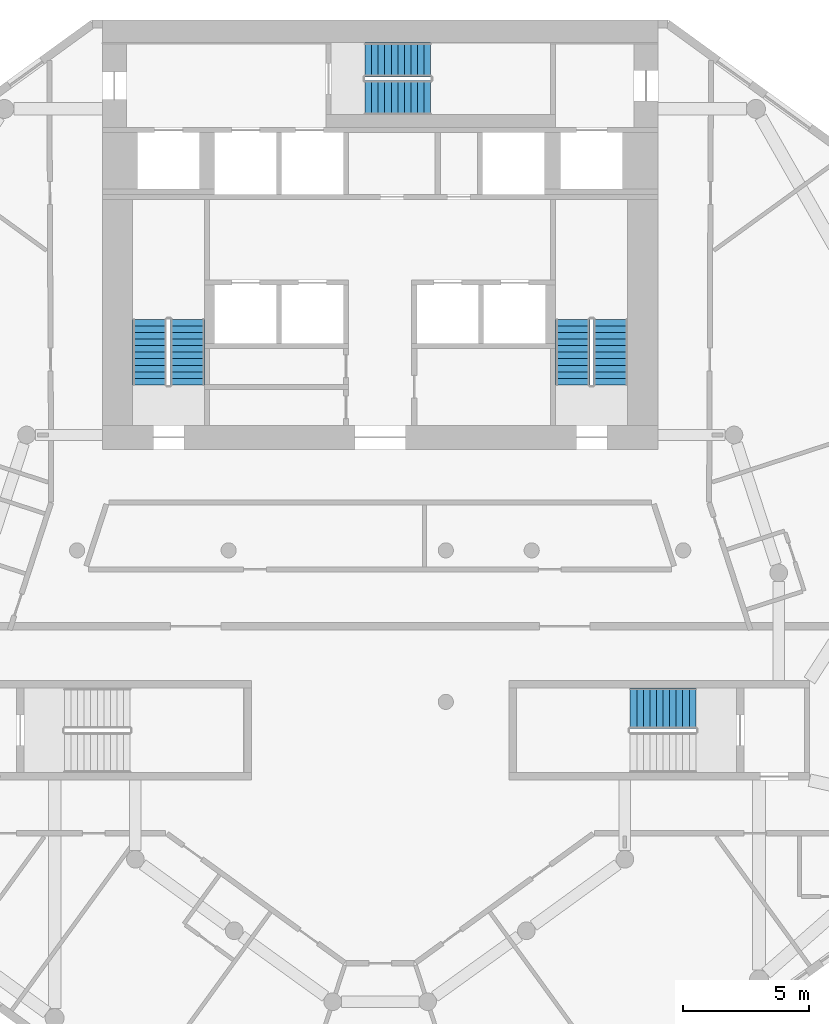
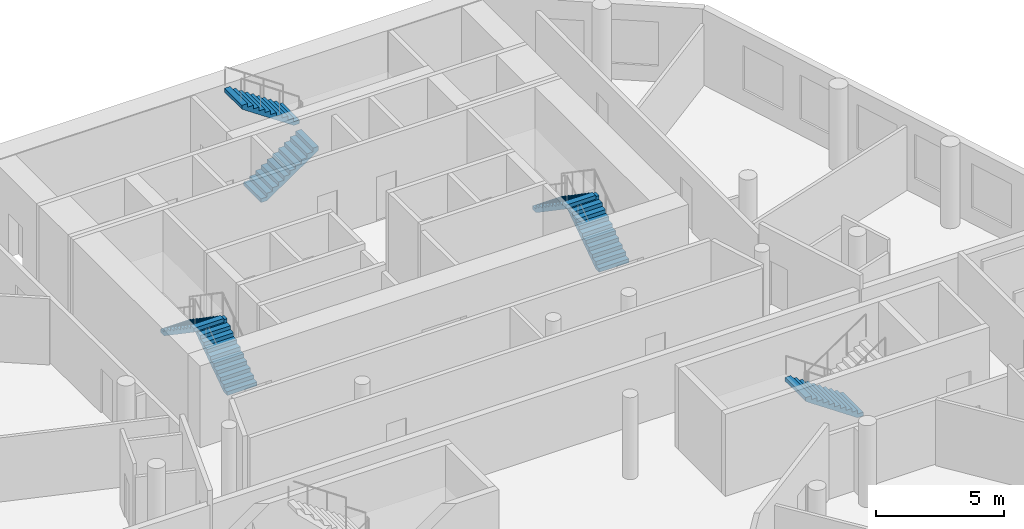
# One storey, part 7 of 9: 7 stair flights, 4 elements without a shape of their own.
"""IFC4 building model written with IfcOpenShell, lengths in metres."""

from ifc_helpers import new_model, si_unit, direction, frame, origin, place, context, subcontext, project, spatial, polyline, outline, extrude, material, layer, layer_set, type_object, element, aggregate, save


model = new_model("IFC4")

# Units and contexts
model_context = context("Model", 3, precision=1e-05, world=origin(), true_north=direction((0.0, 1.0)))
body_context = subcontext(model_context, "Body", "Model", "MODEL_VIEW")
ifc_project = project(units=[si_unit("LENGTHUNIT", "METRE"), si_unit("AREAUNIT", "SQUARE_METRE"), si_unit("VOLUMEUNIT", "CUBIC_METRE"), si_unit("PLANEANGLEUNIT", "RADIAN"), si_unit("MASSUNIT", "GRAM", prefix="KILO")], contexts=[model_context])

# Site, building, storey
site_placement = place(None, origin())
site = spatial("IfcSite", under=ifc_project, at=site_placement, CompositionType="ELEMENT")
building_placement = place(site_placement, origin())
building = spatial("IfcBuilding", under=site, at=building_placement, Name="White Candle Pilgrim Tower", CompositionType="ELEMENT")
storey_placement = place(building_placement, frame((0.0, 0.0, 175.89990234375)))
storey = spatial("IfcBuildingStorey", under=building, at=storey_placement, Name="L40", CompositionType="ELEMENT", Elevation=175.89990234375)

# Stair, stair flights
ifc_material = material(Name="Concrete C40/50", Category="concrete")
stair_type_1 = type_object("IfcStairType", Name="Exit stair 1 flight width 1350 mm", PredefinedType="HALF_TURN_STAIR", material=ifc_material)
stair_1_placement = place(storey_placement, origin())
stair_1 = element("IfcStair", 1, at=stair_1_placement, inside=storey, type_object=stair_type_1, Name="L40 stair 1", PredefinedType="NOTDEFINED")
ifc_layer = layer(ifc_material, 0.14990234375)
ifc_layer_set = layer_set([ifc_layer], Name="Stair flight Concrete C40/50")
stair_flight_type = type_object("IfcStairFlightType", Name="Stair flight Concrete C40/50", PredefinedType="STRAIGHT", material=ifc_layer_set)
stair_flight_1_placement = place(storey_placement, frame((62.375, 73.550048828125, 0.0), z_axis=(0.0, 0.0, 1.0), x_axis=(0.0, 1.0, 0.0)))
stair_flight_1 = element("IfcStairFlight", 2, at=stair_flight_1_placement, type_object=stair_flight_type, Name="ST1 flight 1", NumberOfRisers=11, NumberOfTreads=10, PredefinedType="NOTDEFINED", RiserHeight=0.177272727, TreadLength=0.26, context=body_context, shape_type="SweptSolid", body=[
    extrude(outline(polyline([(0.0, 0.0), (0.0, 0.17724609375), (0.260009765625, 0.17724609375), (0.260009765625, 0.3544921875), (0.52001953125, 0.3544921875), (0.52001953125, 0.53173828125), (0.780029296875, 0.53173828125), (0.780029296875, 0.708984375), (1.0400390625, 0.708984375), (1.0400390625, 0.886474609375), (1.300048828125, 0.886474609375), (1.300048828125, 1.063720703125), (1.56005859375, 1.063720703125), (1.56005859375, 1.240966796875), (1.820068359375, 1.240966796875), (1.820068359375, 1.418212890625), (2.080078125, 1.418212890625), (2.080078125, 1.595458984375), (2.340087890625, 1.595458984375), (2.340087890625, 1.772705078125), (2.60009765625, 1.772705078125), (2.60009765625, 1.949951171875), (2.60009765625, 1.59130859375), (0.26611328125, 0.0), (0.0, 0.0)])), frame((0.0, 0.675048828125, 0.0), z_axis=(0.0, -1.0, 0.0), x_axis=(1.0, 0.0, 0.0)), (0.0, 0.0, 1.0), 1.35009765625),
])
stair_flight_2_placement = place(storey_placement, frame((60.875, 76.14990234375, 1.9501953125), z_axis=(0.0, 0.0, 1.0), x_axis=(0.0, -1.0, 0.0)))
stair_flight_2 = element("IfcStairFlight", 3, at=stair_flight_2_placement, type_object=stair_flight_type, Name="ST1 flight 2", NumberOfRisers=11, NumberOfTreads=10, PredefinedType="NOTDEFINED", RiserHeight=0.177272727, TreadLength=0.26, context=body_context, shape_type="SweptSolid", body=[
    extrude(outline(polyline([(0.0, 0.0), (0.0, 0.17724609375), (0.260009765625, 0.17724609375), (0.260009765625, 0.3544921875), (0.52001953125, 0.3544921875), (0.52001953125, 0.53173828125), (0.780029296875, 0.53173828125), (0.780029296875, 0.708984375), (1.0400390625, 0.708984375), (1.0400390625, 0.886474609375), (1.300048828125, 0.886474609375), (1.300048828125, 1.063720703125), (1.56005859375, 1.063720703125), (1.56005859375, 1.240966796875), (1.820068359375, 1.240966796875), (1.820068359375, 1.418212890625), (2.080078125, 1.418212890625), (2.080078125, 1.595458984375), (2.340087890625, 1.595458984375), (2.340087890625, 1.772705078125), (2.60009765625, 1.772705078125), (2.60009765625, 1.949951171875), (2.60009765625, 1.59130859375), (0.26611328125, 0.0), (0.0, 0.0)])), frame((0.0, 0.675048828125, 0.0), z_axis=(0.0, -1.0, 0.0), x_axis=(1.0, 0.0, 0.0)), (0.0, 0.0, 1.0), 1.35009765625),
])
aggregate(stair_1, [stair_flight_1, stair_flight_2])

stair_type_2 = type_object("IfcStairType", Name="Exit stair 2 flight width 1350 mm", PredefinedType="HALF_TURN_STAIR", material=ifc_material)
stair_2_placement = place(storey_placement, origin())
stair_2 = element("IfcStair", 4, at=stair_2_placement, inside=storey, type_object=stair_type_2, Name="L40 stair 2", PredefinedType="NOTDEFINED")
stair_flight_3_placement = place(storey_placement, frame((79.125, 73.550048828125, 0.0), z_axis=(0.0, 0.0, 1.0), x_axis=(0.0, 1.0, 0.0)))
stair_flight_3 = element("IfcStairFlight", 5, at=stair_flight_3_placement, type_object=stair_flight_type, Name="ST2 flight 1", NumberOfRisers=11, NumberOfTreads=10, PredefinedType="NOTDEFINED", RiserHeight=0.177272727, TreadLength=0.26, context=body_context, shape_type="SweptSolid", body=[
    extrude(outline(polyline([(0.0, 0.0), (0.0, 0.17724609375), (0.260009765625, 0.17724609375), (0.260009765625, 0.3544921875), (0.52001953125, 0.3544921875), (0.52001953125, 0.53173828125), (0.780029296875, 0.53173828125), (0.780029296875, 0.708984375), (1.0400390625, 0.708984375), (1.0400390625, 0.886474609375), (1.300048828125, 0.886474609375), (1.300048828125, 1.063720703125), (1.56005859375, 1.063720703125), (1.56005859375, 1.240966796875), (1.820068359375, 1.240966796875), (1.820068359375, 1.418212890625), (2.080078125, 1.418212890625), (2.080078125, 1.595458984375), (2.340087890625, 1.595458984375), (2.340087890625, 1.772705078125), (2.60009765625, 1.772705078125), (2.60009765625, 1.949951171875), (2.60009765625, 1.59130859375), (0.26611328125, 0.0), (0.0, 0.0)])), frame((0.0, 0.675048828125, 0.0), z_axis=(0.0, -1.0, 0.0), x_axis=(1.0, 0.0, 0.0)), (0.0, 0.0, 1.0), 1.35009765625),
])
stair_flight_4_placement = place(storey_placement, frame((77.625, 76.14990234375, 1.9501953125), z_axis=(0.0, 0.0, 1.0), x_axis=(0.0, -1.0, 0.0)))
stair_flight_4 = element("IfcStairFlight", 6, at=stair_flight_4_placement, type_object=stair_flight_type, Name="ST2 flight 2", NumberOfRisers=11, NumberOfTreads=10, PredefinedType="NOTDEFINED", RiserHeight=0.177272727, TreadLength=0.26, context=body_context, shape_type="SweptSolid", body=[
    extrude(outline(polyline([(0.0, 0.0), (0.0, 0.17724609375), (0.260009765625, 0.17724609375), (0.260009765625, 0.3544921875), (0.52001953125, 0.3544921875), (0.52001953125, 0.53173828125), (0.780029296875, 0.53173828125), (0.780029296875, 0.708984375), (1.0400390625, 0.708984375), (1.0400390625, 0.886474609375), (1.300048828125, 0.886474609375), (1.300048828125, 1.063720703125), (1.56005859375, 1.063720703125), (1.56005859375, 1.240966796875), (1.820068359375, 1.240966796875), (1.820068359375, 1.418212890625), (2.080078125, 1.418212890625), (2.080078125, 1.595458984375), (2.340087890625, 1.595458984375), (2.340087890625, 1.772705078125), (2.60009765625, 1.772705078125), (2.60009765625, 1.949951171875), (2.60009765625, 1.59130859375), (0.26611328125, 0.0), (0.0, 0.0)])), frame((0.0, 0.675048828125, 0.0), z_axis=(0.0, -1.0, 0.0), x_axis=(1.0, 0.0, 0.0)), (0.0, 0.0, 1.0), 1.35009765625),
])
aggregate(stair_2, [stair_flight_3, stair_flight_4])

stair_type_3 = type_object("IfcStairType", Name="Exit stair 3 flight width 1350 mm", PredefinedType="HALF_TURN_STAIR", material=ifc_material)
stair_3_placement = place(storey_placement, origin())
stair_3 = element("IfcStair", 7, at=stair_3_placement, inside=storey, type_object=stair_type_3, Name="L40 stair 3", PredefinedType="NOTDEFINED")
stair_flight_5_placement = place(storey_placement, frame((69.39990234375, 84.925048828125, 0.0), z_axis=(0.0, 0.0, 1.0), x_axis=(1.0, 0.0, 0.0)))
stair_flight_5 = element("IfcStairFlight", 8, at=stair_flight_5_placement, type_object=stair_flight_type, Name="ST3 flight 1", NumberOfRisers=11, NumberOfTreads=10, PredefinedType="NOTDEFINED", RiserHeight=0.177272727, TreadLength=0.26, context=body_context, shape_type="SweptSolid", body=[
    extrude(outline(polyline([(0.0, 0.0), (0.0, 0.17724609375), (0.260009765625, 0.17724609375), (0.260009765625, 0.3544921875), (0.52001953125, 0.3544921875), (0.52001953125, 0.53173828125), (0.780029296875, 0.53173828125), (0.780029296875, 0.708984375), (1.0400390625, 0.708984375), (1.0400390625, 0.886474609375), (1.300048828125, 0.886474609375), (1.300048828125, 1.063720703125), (1.56005859375, 1.063720703125), (1.56005859375, 1.240966796875), (1.820068359375, 1.240966796875), (1.820068359375, 1.418212890625), (2.080078125, 1.418212890625), (2.080078125, 1.595458984375), (2.340087890625, 1.595458984375), (2.340087890625, 1.772705078125), (2.60009765625, 1.772705078125), (2.60009765625, 1.949951171875), (2.60009765625, 1.59130859375), (0.26611328125, 0.0), (0.0, 0.0)])), frame((0.0, 0.675048828125, 0.0), z_axis=(0.0, -1.0, 0.0), x_axis=(1.0, 0.0, 0.0)), (0.0, 0.0, 1.0), 1.35009765625),
])
stair_flight_6_placement = place(storey_placement, frame((72.0, 86.425048828125, 1.9501953125), z_axis=(0.0, 0.0, 1.0), x_axis=(-1.0, 0.0, 0.0)))
stair_flight_6 = element("IfcStairFlight", 9, at=stair_flight_6_placement, type_object=stair_flight_type, Name="ST3 flight 2", NumberOfRisers=11, NumberOfTreads=10, PredefinedType="NOTDEFINED", RiserHeight=0.177272727, TreadLength=0.26, context=body_context, shape_type="SweptSolid", body=[
    extrude(outline(polyline([(0.0, 0.0), (0.0, 0.17724609375), (0.260009765625, 0.17724609375), (0.260009765625, 0.3544921875), (0.52001953125, 0.3544921875), (0.52001953125, 0.53173828125), (0.780029296875, 0.53173828125), (0.780029296875, 0.708984375), (1.0400390625, 0.708984375), (1.0400390625, 0.886474609375), (1.300048828125, 0.886474609375), (1.300048828125, 1.063720703125), (1.56005859375, 1.063720703125), (1.56005859375, 1.240966796875), (1.820068359375, 1.240966796875), (1.820068359375, 1.418212890625), (2.080078125, 1.418212890625), (2.080078125, 1.595458984375), (2.340087890625, 1.595458984375), (2.340087890625, 1.772705078125), (2.60009765625, 1.772705078125), (2.60009765625, 1.949951171875), (2.60009765625, 1.59130859375), (0.26611328125, 0.0), (0.0, 0.0)])), frame((0.0, 0.675048828125, 0.0), z_axis=(0.0, -1.0, 0.0), x_axis=(1.0, 0.0, 0.0)), (0.0, 0.0, 1.0), 1.35009765625),
])
aggregate(stair_3, [stair_flight_5, stair_flight_6])

# Stair, stair flight
stair_type_4 = type_object("IfcStairType", Name="Exit stair 4 flight width 1600 mm", PredefinedType="HALF_TURN_STAIR", material=ifc_material)
stair_4_placement = place(storey_placement, origin())
stair_4 = element("IfcStair", 10, at=stair_4_placement, inside=storey, type_object=stair_type_4, Name="L40 stair 4", PredefinedType="NOTDEFINED")
stair_flight_7_placement = place(storey_placement, frame((82.5, 60.75, 0.0), z_axis=(0.0, 0.0, 1.0), x_axis=(-1.0, 0.0, 0.0)))
stair_flight_7 = element("IfcStairFlight", 11, at=stair_flight_7_placement, type_object=stair_flight_type, Name="ST4 flight 1", NumberOfRisers=11, NumberOfTreads=10, PredefinedType="NOTDEFINED", RiserHeight=0.177272727, TreadLength=0.26, context=body_context, shape_type="SweptSolid", body=[
    extrude(outline(polyline([(0.0, 0.0), (0.0, 0.17724609375), (0.260009765625, 0.17724609375), (0.260009765625, 0.3544921875), (0.52001953125, 0.3544921875), (0.52001953125, 0.53173828125), (0.780029296875, 0.53173828125), (0.780029296875, 0.708984375), (1.0400390625, 0.708984375), (1.0400390625, 0.886474609375), (1.300048828125, 0.886474609375), (1.300048828125, 1.063720703125), (1.56005859375, 1.063720703125), (1.56005859375, 1.240966796875), (1.820068359375, 1.240966796875), (1.820068359375, 1.418212890625), (2.080078125, 1.418212890625), (2.080078125, 1.595458984375), (2.340087890625, 1.595458984375), (2.340087890625, 1.772705078125), (2.60009765625, 1.772705078125), (2.60009765625, 1.949951171875), (2.60009765625, 1.59130859375), (0.26611328125, 0.0), (0.0, 0.0)])), frame((0.0, 0.800048828125, 0.0), z_axis=(0.0, -1.0, 0.0), x_axis=(1.0, 0.0, 0.0)), (0.0, 0.0, 1.0), 1.60009765625),
])
aggregate(stair_4, [stair_flight_7])

save(model, "model.ifc")
